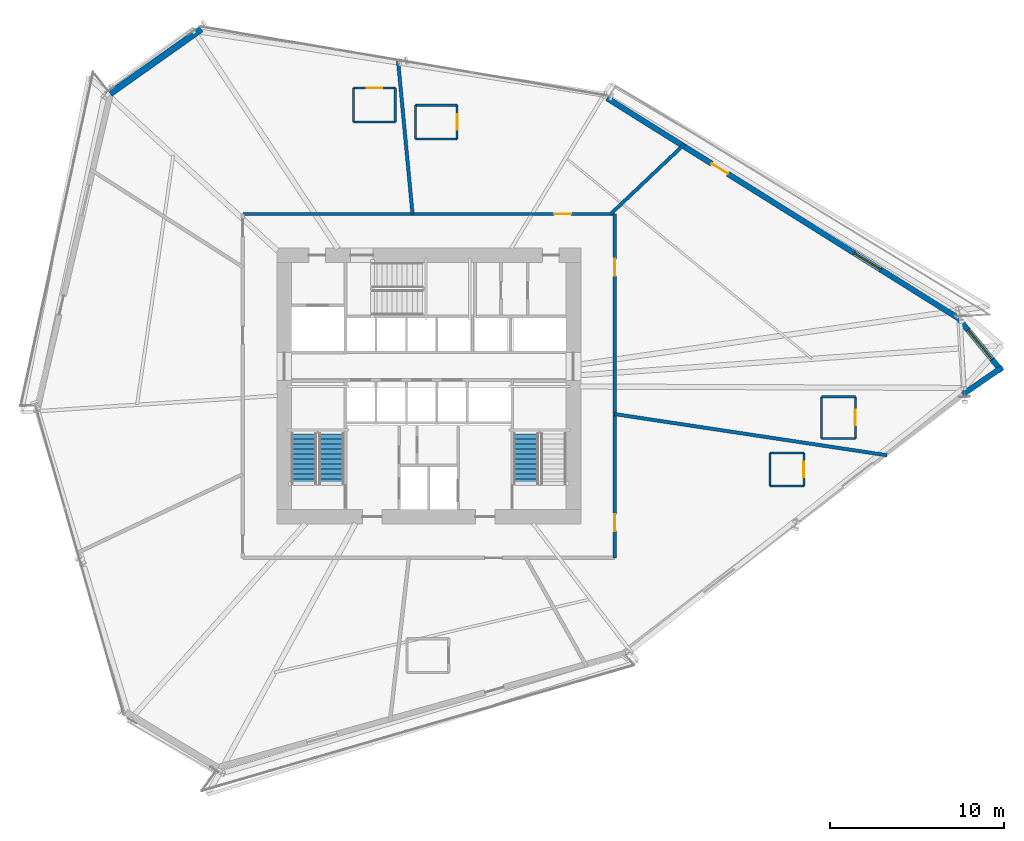
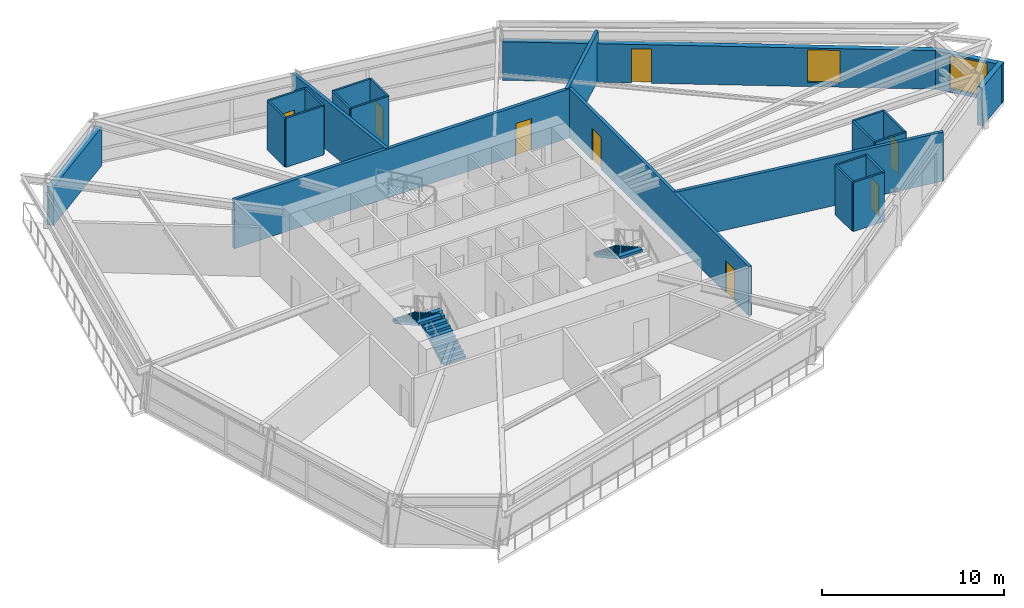
# One storey, part 17 of 21: 25 walls, 8 doors, 3 stair flights, 2 windows, 10 openings, 2 elements without a shape of their own.
"""IFC4 building model written with IfcOpenShell, lengths in metres."""

from ifc_helpers import new_model, si_unit, direction, frame, frame_2d, origin, place, context, subcontext, project, spatial, polyline, rectangle, outline, extrude, source, transform, mapped, material, layer, layer_set, type_object, type_shapes, element, fill, aggregate, save


model = new_model("IFC4")

# Units and contexts
model_context = context("Model", 3, precision=1e-05, world=origin(), true_north=direction((0.0, 1.0)))
body_context = subcontext(model_context, "Body", "Model", "MODEL_VIEW")
ifc_project = project(units=[si_unit("LENGTHUNIT", "METRE"), si_unit("AREAUNIT", "SQUARE_METRE"), si_unit("VOLUMEUNIT", "CUBIC_METRE"), si_unit("PLANEANGLEUNIT", "RADIAN"), si_unit("MASSUNIT", "GRAM", prefix="KILO")], contexts=[model_context])

# Site, building, storey
site_placement = place(None, origin())
site = spatial("IfcSite", under=ifc_project, at=site_placement, CompositionType="ELEMENT")
building_placement = place(site_placement, origin())
building = spatial("IfcBuilding", under=site, at=building_placement, Name="Olszyna Solenne Hotel", CompositionType="ELEMENT")
storey_placement = place(building_placement, frame((0.0, 0.0, 47.050048828125)))
storey = spatial("IfcBuildingStorey", under=building, at=storey_placement, Name="L11", CompositionType="ELEMENT", Elevation=47.050048828125)

# Wall, openings, door, window
ifc_material_1 = material(Name="Precast concrete C45/55", Category="concrete")
ifc_layer_1 = layer(ifc_material_1, 0.320068359375, Name="Precast concrete C45/55")
ifc_layer_set_1 = layer_set([ifc_layer_1], Name="Precast concrete C45/55")
wall_type_1 = type_object("IfcWallType", Name="WL-EX320", PredefinedType="SOLIDWALL", material=ifc_layer_set_1)
wall_1_placement = place(storey_placement, frame((48.26611328125, 43.163818359375, 0.0), z_axis=(0.0, 0.0, 1.0), x_axis=(0.847483127108, -0.530822333053, 0.0)))
wall_1 = element("IfcWall", 1, at=wall_1_placement, inside=storey, type_object=wall_type_1, Name="Exterior terracotta-precast frame wall WL-EX320 EW-L11-07", PredefinedType="SOLIDWALL", context=body_context, shape_type="SweptSolid", body=[
    extrude(rectangle(XDim=23.899658203125, YDim=0.320068359375, at=frame_2d((11.94970703125, 0.0))), origin(), (0.0, 0.0, 1.0), 2.592041015625),
])
opening_1_placement = place(wall_1_placement, frame((7.097900390625, 0.0, 0.0)))
opening_1 = element("IfcOpeningElement", 2, at=opening_1_placement, cuts=wall_1, Name="Opening LDG-L11-1", PredefinedType="OPENING", context=body_context, shape_type="SweptSolid", body=[
    extrude(rectangle(XDim=1.10009765625, YDim=2.300048828125, at=frame_2d((0.550048828125, 1.14990234375))), frame((0.0, 0.169921875, 0.0), z_axis=(0.0, -1.0, 0.0), x_axis=(1.0, 0.0, 0.0)), (0.0, 0.0, 1.0), 0.340087890625),
])
opening_2_placement = place(wall_1_placement, frame((16.785888671875, 0.0, 0.27197265625)))
opening_2 = element("IfcOpeningElement", 3, at=opening_2_placement, cuts=wall_1, Name="Opening WN-L11-048", PredefinedType="OPENING", context=body_context, shape_type="SweptSolid", body=[
    extrude(rectangle(XDim=1.800048828125, YDim=2.199951171875, at=frame_2d((0.89990234375, 1.10009765625))), frame((0.0, 0.169921875, 0.0), z_axis=(0.0, -1.0, 0.0), x_axis=(1.0, 0.0, 0.0)), (0.0, 0.0, 1.0), 0.340087890625),
])
ifc_material_2 = material(Name="Anodised bronze aluminium", Category="aluminium")
door_type_1 = type_object("IfcDoorType", Name="DR-LG1", OperationType="NOTDEFINED", PredefinedType="DOOR", material=ifc_material_2)
shared_shape_1 = source(origin(), body_context, "Body", "SweptSolid", [
    extrude(rectangle(XDim=1.10009765625, YDim=2.300048828125, at=frame_2d((0.550048828125, 1.14990234375))), frame((0.0, 0.02490234375, 0.0), z_axis=(0.0, -1.0, 0.0), x_axis=(1.0, 0.0, 0.0)), (0.0, 0.0, 1.0), 0.050048828125),
])
type_shapes(door_type_1, [shared_shape_1])
door_1_placement = place(opening_1_placement, origin())
door_1 = element("IfcDoor", 4, at=door_1_placement, inside=storey, type_object=door_type_1, Name="Exterior loggia balcony door DR-LG1 LDG-L11-1", OperationType="SINGLE_SWING_LEFT", OverallHeight=2.300048828125, OverallWidth=1.10009765625, PredefinedType="DOOR", context=body_context, shape_type="MappedRepresentation", body=[
    mapped(shared_shape_1, transform((0.0, 0.0, 0.0), x_axis=(1.0, 0.0, 0.0), y_axis=(0.0, 1.0, 0.0), z_axis=(0.0, 0.0, 1.0), scale=1.0)),
])
fill(opening_1, door_1)
ifc_material_3 = material(Name="Low-E triple glazing", Category="glass")
window_type_1 = type_object("IfcWindowType", Name="WN-HT1", PartitioningType="SINGLE_PANEL", PredefinedType="WINDOW", material=ifc_material_3)
shared_shape_2 = source(origin(), body_context, "Body", "SweptSolid", [
    extrude(rectangle(XDim=1.800048828125, YDim=2.199951171875, at=frame_2d((0.89990234375, 1.10009765625))), frame((0.0, 0.030029296875, 0.0), z_axis=(0.0, -1.0, 0.0), x_axis=(1.0, 0.0, 0.0)), (0.0, 0.0, 1.0), 0.06005859375),
])
type_shapes(window_type_1, [shared_shape_2])
window_1_placement = place(opening_2_placement, origin())
window_1 = element("IfcWindow", 5, at=window_1_placement, inside=storey, type_object=window_type_1, Name="Loggia room window WN-HT1 WN-L11-048", OverallHeight=2.199951171875, OverallWidth=1.800048828125, PartitioningType="SINGLE_PANEL", PredefinedType="WINDOW", context=body_context, shape_type="MappedRepresentation", body=[
    mapped(shared_shape_2, transform((0.0, 0.0, 0.0), x_axis=(1.0, 0.0, 0.0), y_axis=(0.0, 1.0, 0.0), z_axis=(0.0, 0.0, 1.0), scale=1.0)),
])
fill(opening_2, window_1)

# Wall, opening, window
wall_2_placement = place(storey_placement, frame((68.481689453125, 30.51171875, 0.0), z_axis=(0.0, 0.0, 1.0), x_axis=(0.63340917895, -0.773817040405, 0.0)))
wall_2 = element("IfcWall", 6, at=wall_2_placement, inside=storey, type_object=wall_type_1, Name="Exterior terracotta-precast frame wall WL-EX320 EW-L11-08", PredefinedType="SOLIDWALL", context=body_context, shape_type="SweptSolid", body=[
    extrude(rectangle(XDim=3.955810546875, YDim=0.320068359375, at=frame_2d((1.97802734375, 0.0))), origin(), (0.0, 0.0, 1.0), 2.592041015625),
])
opening_3_placement = place(wall_2_placement, frame((0.8779296875, 0.0, 0.221923828125)))
opening_3 = element("IfcOpeningElement", 7, at=opening_3_placement, cuts=wall_2, Name="Opening WN-L11-049", PredefinedType="OPENING", context=body_context, shape_type="SweptSolid", body=[
    extrude(rectangle(XDim=2.199951171875, YDim=2.25, at=frame_2d((1.10009765625, 1.125))), frame((0.0, 0.169921875, 0.0), z_axis=(0.0, -1.0, 0.0), x_axis=(1.0, 0.0, 0.0)), (0.0, 0.0, 1.0), 0.340087890625),
])
window_type_2 = type_object("IfcWindowType", Name="WN-HT2", PartitioningType="SINGLE_PANEL", PredefinedType="WINDOW", material=ifc_material_3)
shared_shape_3 = source(origin(), body_context, "Body", "SweptSolid", [
    extrude(rectangle(XDim=2.199951171875, YDim=2.25, at=frame_2d((1.10009765625, 1.125))), frame((0.0, 0.030029296875, 0.0), z_axis=(0.0, -1.0, 0.0), x_axis=(1.0, 0.0, 0.0)), (0.0, 0.0, 1.0), 0.06005859375),
])
type_shapes(window_type_2, [shared_shape_3])
window_2_placement = place(opening_3_placement, origin())
window_2 = element("IfcWindow", 8, at=window_2_placement, inside=storey, type_object=window_type_2, Name="Exterior facade window WN-HT2 WN-L11-049", OverallHeight=2.25, OverallWidth=2.199951171875, PartitioningType="SINGLE_PANEL", PredefinedType="WINDOW", context=body_context, shape_type="MappedRepresentation", body=[
    mapped(shared_shape_3, transform((0.0, 0.0, 0.0), x_axis=(1.0, 0.0, 0.0), y_axis=(0.0, 1.0, 0.0), z_axis=(0.0, 0.0, 1.0), scale=1.0)),
])
fill(opening_3, window_2)

# Walls
wall_3_placement = place(storey_placement, frame((71.020263671875, 27.683837890625, 0.0), z_axis=(0.0, 0.0, 1.0), x_axis=(-0.823923227302, -0.56670143419, 0.0)))
element("IfcWall", 9, at=wall_3_placement, inside=storey, type_object=wall_type_1, Name="Exterior terracotta-precast frame wall WL-EX320 EW-L11-09", PredefinedType="SOLIDWALL", context=body_context, shape_type="SweptSolid", body=[
    extrude(rectangle(XDim=2.760986328125, YDim=0.320068359375, at=frame_2d((1.38037109375, 0.0))), origin(), (0.0, 0.0, 1.0), 2.592041015625),
])
ifc_material_4 = material(Name="Terracotta cladding on precast concrete C45/55", Category="masonry")
ifc_layer_2 = layer(ifc_material_4, 0.3798828125, Name="Terracotta cladding on precast concrete C45/55")
ifc_layer_set_2 = layer_set([ifc_layer_2], Name="Terracotta cladding on precast concrete C45/55")
wall_type_2 = type_object("IfcWallType", Name="WL-EX380", PredefinedType="SOLIDWALL", material=ifc_layer_set_2)
wall_4_placement = place(storey_placement, frame((19.659423828125, 43.433837890625, 0.0), z_axis=(0.0, 0.0, 1.0), x_axis=(0.816108940035, 0.577898086167, 0.0)))
element("IfcWall", 10, at=wall_4_placement, inside=storey, type_object=wall_type_2, Name="Exterior terracotta-precast frame wall WL-EX380 EW-L11-05", PredefinedType="SOLIDWALL", context=body_context, shape_type="SweptSolid", body=[
    extrude(rectangle(XDim=6.4189453125, YDim=0.3798828125, at=frame_2d((3.20947265625, 0.0))), origin(), (0.0, 0.0, 1.0), 2.592041015625),
])

# Wall, opening, door
ifc_material_5 = material(Name="Acoustic gypsum partition", Category="gypsum")
ifc_layer_3 = layer(ifc_material_5, 0.125, Name="Acoustic gypsum partition")
ifc_layer_set_3 = layer_set([ifc_layer_3], Name="Acoustic gypsum partition")
wall_type_3 = type_object("IfcWallType", Name="WL-PT125", PredefinedType="PARTITIONING", material=ifc_layer_set_3)
wall_5_placement = place(storey_placement, frame((59.593994140625, 20.84912109375, 0.0), z_axis=(0.0, 0.0, 1.0), x_axis=(0.0, 1.0, 0.0)))
wall_5 = element("IfcWall", 11, at=wall_5_placement, inside=storey, type_object=wall_type_3, Name="Interior acoustic partition WL-PT125 PW-L11-0600", PredefinedType="PARTITIONING", context=body_context, shape_type="SweptSolid", body=[
    extrude(rectangle(XDim=1.89990234375, YDim=0.125, at=frame_2d((0.949951171875, 0.0))), origin(), (0.0, 0.0, 1.0), 3.300048828125),
])
opening_4_placement = place(wall_5_placement, frame((0.5, 0.0, 0.0)))
opening_4 = element("IfcOpeningElement", 12, at=opening_4_placement, cuts=wall_5, Name="Opening DR-L11-0128", PredefinedType="OPENING", context=body_context, shape_type="SweptSolid", body=[
    extrude(rectangle(XDim=0.89990234375, YDim=2.10009765625, at=frame_2d((0.449951171875, 1.050048828125))), frame((0.0, 0.072509765625, 0.0), z_axis=(0.0, -1.0, 0.0), x_axis=(1.0, 0.0, 0.0)), (0.0, 0.0, 1.0), 0.14501953125),
])
ifc_material_6 = material(Name="Timber hardwood", Category="wood")
door_type_2 = type_object("IfcDoorType", Name="DR-WC1", OperationType="NOTDEFINED", PredefinedType="DOOR", material=ifc_material_6)
shared_shape_4 = source(origin(), body_context, "Body", "SweptSolid", [
    extrude(rectangle(XDim=0.89990234375, YDim=2.10009765625, at=frame_2d((0.449951171875, 1.050048828125))), frame((0.0, 0.02490234375, 0.0), z_axis=(0.0, -1.0, 0.0), x_axis=(1.0, 0.0, 0.0)), (0.0, 0.0, 1.0), 0.050048828125),
])
type_shapes(door_type_2, [shared_shape_4])
door_2_placement = place(opening_4_placement, origin())
door_2 = element("IfcDoor", 13, at=door_2_placement, inside=storey, type_object=door_type_2, Name="En-Suite Bathroom Door DR-L11-0128", OperationType="SINGLE_SWING_RIGHT", OverallHeight=2.10009765625, OverallWidth=0.89990234375, PredefinedType="DOOR", context=body_context, shape_type="MappedRepresentation", body=[
    mapped(shared_shape_4, transform((0.0, 0.0, 0.0), x_axis=(1.0, 0.0, 0.0), y_axis=(0.0, 1.0, 0.0), z_axis=(0.0, 0.0, 1.0), scale=1.0)),
])
fill(opening_4, door_2)

# Walls
wall_6_placement = place(storey_placement, frame((59.593994140625, 22.7490234375, 0.0), z_axis=(0.0, 0.0, 1.0), x_axis=(-1.0, 0.0, 0.0)))
element("IfcWall", 14, at=wall_6_placement, inside=storey, type_object=wall_type_3, Name="Interior acoustic partition WL-PT125 PW-L11-0601", PredefinedType="PARTITIONING", context=body_context, shape_type="SweptSolid", body=[
    extrude(rectangle(XDim=1.949951171875, YDim=0.125, at=frame_2d((0.97509765625, 0.0))), origin(), (0.0, 0.0, 1.0), 3.300048828125),
])
wall_7_placement = place(storey_placement, frame((57.64404296875, 22.7490234375, 0.0), z_axis=(0.0, 0.0, 1.0), x_axis=(0.0, -1.0, 0.0)))
element("IfcWall", 15, at=wall_7_placement, inside=storey, type_object=wall_type_3, Name="Interior acoustic partition WL-PT125 PW-L11-0602", PredefinedType="PARTITIONING", context=body_context, shape_type="SweptSolid", body=[
    extrude(rectangle(XDim=1.89990234375, YDim=0.125, at=frame_2d((0.949951171875, 0.0))), origin(), (0.0, 0.0, 1.0), 3.300048828125),
])
wall_8_placement = place(storey_placement, frame((57.64404296875, 20.84912109375, 0.0), z_axis=(0.0, 0.0, 1.0), x_axis=(1.0, 0.0, 0.0)))
element("IfcWall", 16, at=wall_8_placement, inside=storey, type_object=wall_type_3, Name="Interior acoustic partition WL-PT125 PW-L11-0603", PredefinedType="PARTITIONING", context=body_context, shape_type="SweptSolid", body=[
    extrude(rectangle(XDim=1.949951171875, YDim=0.125, at=frame_2d((0.97509765625, 0.0))), origin(), (0.0, 0.0, 1.0), 3.300048828125),
])

# Wall, opening, door
wall_9_placement = place(storey_placement, frame((62.556884765625, 23.576904296875, 0.0), z_axis=(0.0, 0.0, 1.0), x_axis=(0.0, 1.0, 0.0)))
wall_9 = element("IfcWall", 17, at=wall_9_placement, inside=storey, type_object=wall_type_3, Name="Interior acoustic partition WL-PT125 PW-L11-0604", PredefinedType="PARTITIONING", context=body_context, shape_type="SweptSolid", body=[
    extrude(rectangle(XDim=2.400146484375, YDim=0.125, at=frame_2d((1.2001953125, 0.0))), origin(), (0.0, 0.0, 1.0), 3.300048828125),
])
opening_5_placement = place(wall_9_placement, frame((0.75, 0.0, 0.0)))
opening_5 = element("IfcOpeningElement", 18, at=opening_5_placement, cuts=wall_9, Name="Opening DR-L11-0129", PredefinedType="OPENING", context=body_context, shape_type="SweptSolid", body=[
    extrude(rectangle(XDim=0.89990234375, YDim=2.10009765625, at=frame_2d((0.449951171875, 1.050048828125))), frame((0.0, 0.072509765625, 0.0), z_axis=(0.0, -1.0, 0.0), x_axis=(1.0, 0.0, 0.0)), (0.0, 0.0, 1.0), 0.14501953125),
])
door_3_placement = place(opening_5_placement, origin())
door_3 = element("IfcDoor", 19, at=door_3_placement, inside=storey, type_object=door_type_2, Name="En-Suite Bathroom Door DR-L11-0129", OperationType="SINGLE_SWING_RIGHT", OverallHeight=2.10009765625, OverallWidth=0.89990234375, PredefinedType="DOOR", context=body_context, shape_type="MappedRepresentation", body=[
    mapped(shared_shape_4, transform((0.0, 0.0, 0.0), x_axis=(1.0, 0.0, 0.0), y_axis=(0.0, 1.0, 0.0), z_axis=(0.0, 0.0, 1.0), scale=1.0)),
])
fill(opening_5, door_3)

# Walls
wall_10_placement = place(storey_placement, frame((62.556884765625, 25.97705078125, 0.0), z_axis=(0.0, 0.0, 1.0), x_axis=(-1.0, 0.0, 0.0)))
element("IfcWall", 20, at=wall_10_placement, inside=storey, type_object=wall_type_3, Name="Interior acoustic partition WL-PT125 PW-L11-0605", PredefinedType="PARTITIONING", context=body_context, shape_type="SweptSolid", body=[
    extrude(rectangle(XDim=1.949951171875, YDim=0.125, at=frame_2d((0.97509765625, 0.0))), origin(), (0.0, 0.0, 1.0), 3.300048828125),
])
wall_11_placement = place(storey_placement, frame((60.60693359375, 25.97705078125, 0.0), z_axis=(0.0, 0.0, 1.0), x_axis=(0.0, -1.0, 0.0)))
element("IfcWall", 21, at=wall_11_placement, inside=storey, type_object=wall_type_3, Name="Interior acoustic partition WL-PT125 PW-L11-0606", PredefinedType="PARTITIONING", context=body_context, shape_type="SweptSolid", body=[
    extrude(rectangle(XDim=2.400146484375, YDim=0.125, at=frame_2d((1.2001953125, 0.0))), origin(), (0.0, 0.0, 1.0), 3.300048828125),
])
wall_12_placement = place(storey_placement, frame((60.60693359375, 23.576904296875, 0.0), z_axis=(0.0, 0.0, 1.0), x_axis=(1.0, 0.0, 0.0)))
element("IfcWall", 22, at=wall_12_placement, inside=storey, type_object=wall_type_3, Name="Interior acoustic partition WL-PT125 PW-L11-0607", PredefinedType="PARTITIONING", context=body_context, shape_type="SweptSolid", body=[
    extrude(rectangle(XDim=1.949951171875, YDim=0.125, at=frame_2d((0.97509765625, 0.0))), origin(), (0.0, 0.0, 1.0), 3.300048828125),
])

# Wall, opening, door
wall_13_placement = place(storey_placement, frame((39.62890625, 40.81103515625, 0.0), z_axis=(0.0, 0.0, 1.0), x_axis=(0.0, 1.0, 0.0)))
wall_13 = element("IfcWall", 23, at=wall_13_placement, inside=storey, type_object=wall_type_3, Name="Interior acoustic partition WL-PT125 PW-L11-0608", PredefinedType="PARTITIONING", context=body_context, shape_type="SweptSolid", body=[
    extrude(rectangle(XDim=1.949951171875, YDim=0.125, at=frame_2d((0.97509765625, 0.0))), origin(), (0.0, 0.0, 1.0), 3.300048828125),
])
opening_6_placement = place(wall_13_placement, frame((0.52490234375, 0.0, 0.0)))
opening_6 = element("IfcOpeningElement", 24, at=opening_6_placement, cuts=wall_13, Name="Opening DR-L11-0130", PredefinedType="OPENING", context=body_context, shape_type="SweptSolid", body=[
    extrude(rectangle(XDim=0.89990234375, YDim=2.10009765625, at=frame_2d((0.449951171875, 1.050048828125))), frame((0.0, 0.072509765625, 0.0), z_axis=(0.0, -1.0, 0.0), x_axis=(1.0, 0.0, 0.0)), (0.0, 0.0, 1.0), 0.14501953125),
])
door_4_placement = place(opening_6_placement, origin())
door_4 = element("IfcDoor", 25, at=door_4_placement, inside=storey, type_object=door_type_2, Name="En-Suite Bathroom Door DR-L11-0130", OperationType="SINGLE_SWING_RIGHT", OverallHeight=2.10009765625, OverallWidth=0.89990234375, PredefinedType="DOOR", context=body_context, shape_type="MappedRepresentation", body=[
    mapped(shared_shape_4, transform((0.0, 0.0, 0.0), x_axis=(1.0, 0.0, 0.0), y_axis=(0.0, 1.0, 0.0), z_axis=(0.0, 0.0, 1.0), scale=1.0)),
])
fill(opening_6, door_4)

# Walls
wall_14_placement = place(storey_placement, frame((39.62890625, 42.760986328125, 0.0), z_axis=(0.0, 0.0, 1.0), x_axis=(-1.0, 0.0, 0.0)))
element("IfcWall", 26, at=wall_14_placement, inside=storey, type_object=wall_type_3, Name="Interior acoustic partition WL-PT125 PW-L11-0609", PredefinedType="PARTITIONING", context=body_context, shape_type="SweptSolid", body=[
    extrude(rectangle(XDim=2.39990234375, YDim=0.125, at=frame_2d((1.199951171875, 0.0))), origin(), (0.0, 0.0, 1.0), 3.300048828125),
])
wall_15_placement = place(storey_placement, frame((37.22900390625, 42.760986328125, 0.0), z_axis=(0.0, 0.0, 1.0), x_axis=(0.0, -1.0, 0.0)))
element("IfcWall", 27, at=wall_15_placement, inside=storey, type_object=wall_type_3, Name="Interior acoustic partition WL-PT125 PW-L11-0610", PredefinedType="PARTITIONING", context=body_context, shape_type="SweptSolid", body=[
    extrude(rectangle(XDim=1.949951171875, YDim=0.125, at=frame_2d((0.97509765625, 0.0))), origin(), (0.0, 0.0, 1.0), 3.300048828125),
])
wall_16_placement = place(storey_placement, frame((37.22900390625, 40.81103515625, 0.0), z_axis=(0.0, 0.0, 1.0), x_axis=(1.0, 0.0, 0.0)))
element("IfcWall", 28, at=wall_16_placement, inside=storey, type_object=wall_type_3, Name="Interior acoustic partition WL-PT125 PW-L11-0611", PredefinedType="PARTITIONING", context=body_context, shape_type="SweptSolid", body=[
    extrude(rectangle(XDim=2.39990234375, YDim=0.125, at=frame_2d((1.199951171875, 0.0))), origin(), (0.0, 0.0, 1.0), 3.300048828125),
])
wall_17_placement = place(storey_placement, frame((36.073974609375, 41.801025390625, 0.0), z_axis=(0.0, 0.0, 1.0), x_axis=(0.0, 1.0, 0.0)))
element("IfcWall", 29, at=wall_17_placement, inside=storey, type_object=wall_type_3, Name="Interior acoustic partition WL-PT125 PW-L11-0612", PredefinedType="PARTITIONING", context=body_context, shape_type="SweptSolid", body=[
    extrude(rectangle(XDim=1.949951171875, YDim=0.125, at=frame_2d((0.97509765625, 0.0))), origin(), (0.0, 0.0, 1.0), 3.300048828125),
])

# Wall, opening, door
wall_18_placement = place(storey_placement, frame((36.073974609375, 43.7509765625, 0.0), z_axis=(0.0, 0.0, 1.0), x_axis=(-1.0, 0.0, 0.0)))
wall_18 = element("IfcWall", 30, at=wall_18_placement, inside=storey, type_object=wall_type_3, Name="Interior acoustic partition WL-PT125 PW-L11-0613", PredefinedType="PARTITIONING", context=body_context, shape_type="SweptSolid", body=[
    extrude(rectangle(XDim=2.39990234375, YDim=0.125, at=frame_2d((1.199951171875, 0.0))), origin(), (0.0, 0.0, 1.0), 3.300048828125),
])
opening_7_placement = place(wall_18_placement, frame((0.75, 0.0, 0.0)))
opening_7 = element("IfcOpeningElement", 31, at=opening_7_placement, cuts=wall_18, Name="Opening DR-L11-0131", PredefinedType="OPENING", context=body_context, shape_type="SweptSolid", body=[
    extrude(rectangle(XDim=0.89990234375, YDim=2.10009765625, at=frame_2d((0.449951171875, 1.050048828125))), frame((0.0, 0.072509765625, 0.0), z_axis=(0.0, -1.0, 0.0), x_axis=(1.0, 0.0, 0.0)), (0.0, 0.0, 1.0), 0.14501953125),
])
door_5_placement = place(opening_7_placement, origin())
door_5 = element("IfcDoor", 32, at=door_5_placement, inside=storey, type_object=door_type_2, Name="En-Suite Bathroom Door DR-L11-0131", OperationType="SINGLE_SWING_LEFT", OverallHeight=2.10009765625, OverallWidth=0.89990234375, PredefinedType="DOOR", context=body_context, shape_type="MappedRepresentation", body=[
    mapped(shared_shape_4, transform((0.0, 0.0, 0.0), x_axis=(1.0, 0.0, 0.0), y_axis=(0.0, 1.0, 0.0), z_axis=(0.0, 0.0, 1.0), scale=1.0)),
])
fill(opening_7, door_5)

# Walls
wall_19_placement = place(storey_placement, frame((33.674072265625, 43.7509765625, 0.0), z_axis=(0.0, 0.0, 1.0), x_axis=(0.0, -1.0, 0.0)))
element("IfcWall", 33, at=wall_19_placement, inside=storey, type_object=wall_type_3, Name="Interior acoustic partition WL-PT125 PW-L11-0614", PredefinedType="PARTITIONING", context=body_context, shape_type="SweptSolid", body=[
    extrude(rectangle(XDim=1.949951171875, YDim=0.125, at=frame_2d((0.97509765625, 0.0))), origin(), (0.0, 0.0, 1.0), 3.300048828125),
])
wall_20_placement = place(storey_placement, frame((33.674072265625, 41.801025390625, 0.0), z_axis=(0.0, 0.0, 1.0), x_axis=(1.0, 0.0, 0.0)))
element("IfcWall", 34, at=wall_20_placement, inside=storey, type_object=wall_type_3, Name="Interior acoustic partition WL-PT125 PW-L11-0615", PredefinedType="PARTITIONING", context=body_context, shape_type="SweptSolid", body=[
    extrude(rectangle(XDim=2.39990234375, YDim=0.125, at=frame_2d((1.199951171875, 0.0))), origin(), (0.0, 0.0, 1.0), 3.300048828125),
])
ifc_layer_4 = layer(ifc_material_5, 0.199951171875, Name="Acoustic gypsum partition")
ifc_layer_set_4 = layer_set([ifc_layer_4], Name="Acoustic gypsum partition")
wall_type_4 = type_object("IfcWallType", Name="WL-PT200", PredefinedType="PARTITIONING", material=ifc_layer_set_4)
wall_21_placement = place(storey_placement, frame((48.699951171875, 24.981689453125, 0.0), z_axis=(0.0, 0.0, 1.0), x_axis=(0.988756783169, -0.149532684514, 0.0)))
element("IfcWall", 35, at=wall_21_placement, inside=storey, type_object=wall_type_4, Name="Interior acoustic partition WL-PT200 PW-L11-0594", PredefinedType="PARTITIONING", context=body_context, shape_type="SweptSolid", body=[
    extrude(rectangle(XDim=15.85986328125, YDim=0.199951171875, at=frame_2d((7.929931640625, 0.0))), origin(), (0.0, 0.0, 1.0), 3.300048828125),
])
wall_22_placement = place(storey_placement, frame((48.468994140625, 36.5, 0.0), z_axis=(0.0, 0.0, 1.0), x_axis=(0.726587633049, 0.687073803532, 0.0)))
element("IfcWall", 36, at=wall_22_placement, inside=storey, type_object=wall_type_4, Name="Interior acoustic partition WL-PT200 PW-L11-0595", PredefinedType="PARTITIONING", context=body_context, shape_type="SweptSolid", body=[
    extrude(rectangle(XDim=5.857421875, YDim=0.199951171875, at=frame_2d((2.9287109375, 0.0))), origin(), (0.0, 0.0, 1.0), 3.300048828125),
])
wall_23_placement = place(storey_placement, frame((37.064208984375, 36.5, 0.0), z_axis=(0.0, 0.0, 1.0), x_axis=(-0.094098210229, 0.995562919575, 0.0)))
element("IfcWall", 37, at=wall_23_placement, inside=storey, type_object=wall_type_4, Name="Interior acoustic partition WL-PT200 PW-L11-0596", PredefinedType="PARTITIONING", context=body_context, shape_type="SweptSolid", body=[
    extrude(rectangle(XDim=8.865478515625, YDim=0.199951171875, at=frame_2d((4.4326171875, 0.0))), origin(), (0.0, 0.0, 1.0), 3.300048828125),
])

# Wall, opening, door
wall_24_placement = place(storey_placement, frame((27.300048828125, 36.5, 0.0), z_axis=(0.0, 0.0, 1.0), x_axis=(1.0, 0.0, 0.0)))
wall_24 = element("IfcWall", 38, at=wall_24_placement, inside=storey, type_object=wall_type_4, Name="Interior acoustic partition WL-PT200 PW-L11-0622", PredefinedType="PARTITIONING", context=body_context, shape_type="SweptSolid", body=[
    extrude(rectangle(XDim=21.39990234375, YDim=0.199951171875, at=frame_2d((10.699951171875, 0.0))), origin(), (0.0, 0.0, 1.0), 3.300048828125),
])
opening_8_placement = place(wall_24_placement, frame((17.908935546875, 0.0, 0.0)))
opening_8 = element("IfcOpeningElement", 39, at=opening_8_placement, cuts=wall_24, Name="Opening DR-L11-0137", PredefinedType="OPENING", context=body_context, shape_type="SweptSolid", body=[
    extrude(rectangle(XDim=0.97998046875, YDim=2.14990234375, at=frame_2d((0.489990234375, 1.074951171875))), frame((0.0, 0.10986328125, 0.0), z_axis=(0.0, -1.0, 0.0), x_axis=(1.0, 0.0, 0.0)), (0.0, 0.0, 1.0), 0.219970703125),
])
door_type_3 = type_object("IfcDoorType", Name="DR-RM1", OperationType="NOTDEFINED", PredefinedType="DOOR", material=ifc_material_6)
shared_shape_5 = source(origin(), body_context, "Body", "SweptSolid", [
    extrude(rectangle(XDim=0.97998046875, YDim=2.14990234375, at=frame_2d((0.489990234375, 1.074951171875))), frame((0.0, 0.02490234375, 0.0), z_axis=(0.0, -1.0, 0.0), x_axis=(1.0, 0.0, 0.0)), (0.0, 0.0, 1.0), 0.050048828125),
])
type_shapes(door_type_3, [shared_shape_5])
door_6_placement = place(opening_8_placement, origin())
door_6 = element("IfcDoor", 40, at=door_6_placement, inside=storey, type_object=door_type_3, Name="Premier King Suite Entrance Door DR-L11-0137", OperationType="SINGLE_SWING_RIGHT", OverallHeight=2.14990234375, OverallWidth=0.97998046875, PredefinedType="DOOR", context=body_context, shape_type="MappedRepresentation", body=[
    mapped(shared_shape_5, transform((0.0, 0.0, 0.0), x_axis=(1.0, 0.0, 0.0), y_axis=(0.0, 1.0, 0.0), z_axis=(0.0, 0.0, 1.0), scale=1.0)),
])
fill(opening_8, door_6)

# Wall, openings, doors
wall_25_placement = place(storey_placement, frame((48.699951171875, 16.699951171875, 0.0), z_axis=(0.0, 0.0, 1.0), x_axis=(0.0, 1.0, 0.0)))
wall_25 = element("IfcWall", 41, at=wall_25_placement, inside=storey, type_object=wall_type_4, Name="Interior acoustic partition WL-PT200 PW-L11-0623", PredefinedType="PARTITIONING", context=body_context, shape_type="SweptSolid", body=[
    extrude(rectangle(XDim=19.800048828125, YDim=0.199951171875, at=frame_2d((9.89990234375, 0.0))), origin(), (0.0, 0.0, 1.0), 3.300048828125),
])
opening_9_placement = place(wall_25_placement, frame((1.544921875, 0.0, 0.0)))
opening_9 = element("IfcOpeningElement", 42, at=opening_9_placement, cuts=wall_25, Name="Opening DR-L11-0138", PredefinedType="OPENING", context=body_context, shape_type="SweptSolid", body=[
    extrude(rectangle(XDim=0.97998046875, YDim=2.14990234375, at=frame_2d((0.489990234375, 1.074951171875))), frame((0.0, 0.10986328125, 0.0), z_axis=(0.0, -1.0, 0.0), x_axis=(1.0, 0.0, 0.0)), (0.0, 0.0, 1.0), 0.219970703125),
])
opening_10_placement = place(wall_25_placement, frame((16.237060546875, 0.0, 0.0)))
opening_10 = element("IfcOpeningElement", 43, at=opening_10_placement, cuts=wall_25, Name="Opening DR-L11-0139", PredefinedType="OPENING", context=body_context, shape_type="SweptSolid", body=[
    extrude(rectangle(XDim=0.97998046875, YDim=2.14990234375, at=frame_2d((0.489990234375, 1.074951171875))), frame((0.0, 0.10986328125, 0.0), z_axis=(0.0, -1.0, 0.0), x_axis=(1.0, 0.0, 0.0)), (0.0, 0.0, 1.0), 0.219970703125),
])
door_7_placement = place(opening_9_placement, origin())
door_7 = element("IfcDoor", 44, at=door_7_placement, inside=storey, type_object=door_type_3, Name="Premier King Suite Entrance Door DR-L11-0138", OperationType="SINGLE_SWING_RIGHT", OverallHeight=2.14990234375, OverallWidth=0.97998046875, PredefinedType="DOOR", context=body_context, shape_type="MappedRepresentation", body=[
    mapped(shared_shape_5, transform((0.0, 0.0, 0.0), x_axis=(1.0, 0.0, 0.0), y_axis=(0.0, 1.0, 0.0), z_axis=(0.0, 0.0, 1.0), scale=1.0)),
])
fill(opening_9, door_7)
door_8_placement = place(opening_10_placement, origin())
door_8 = element("IfcDoor", 45, at=door_8_placement, inside=storey, type_object=door_type_3, Name="Premier King Suite Entrance Door DR-L11-0139", OperationType="SINGLE_SWING_LEFT", OverallHeight=2.14990234375, OverallWidth=0.97998046875, PredefinedType="DOOR", context=body_context, shape_type="MappedRepresentation", body=[
    mapped(shared_shape_5, transform((0.0, 0.0, 0.0), x_axis=(1.0, 0.0, 0.0), y_axis=(0.0, 1.0, 0.0), z_axis=(0.0, 0.0, 1.0), scale=1.0)),
])
fill(opening_10, door_8)

# Stair, stair flights
ifc_material_7 = material(Name="Concrete C40/50", Category="concrete")
stair_type = type_object("IfcStairType", Name="STR-C1", PredefinedType="TWO_QUARTER_WINDING_STAIR", material=ifc_material_7)
stair_1_placement = place(storey_placement, origin())
stair_1 = element("IfcStair", 46, at=stair_1_placement, inside=storey, type_object=stair_type, Name="L11 ST1", PredefinedType="TWO_QUARTER_WINDING_STAIR")
stair_flight_type = type_object("IfcStairFlightType", Name="FLT-C1", PredefinedType="STRAIGHT", material=ifc_material_7)
stair_flight_1_placement = place(storey_placement, frame((32.39501953125, 20.949951171875, 0.0), z_axis=(0.0, 0.0, 1.0), x_axis=(0.0, 1.0, 0.0)))
stair_flight_1 = element("IfcStairFlight", 47, at=stair_flight_1_placement, type_object=stair_flight_type, Name="ST1 flight 1", NumberOfRisers=11, NumberOfTreads=10, PredefinedType="STRAIGHT", RiserHeight=0.161363636, TreadLength=0.29, context=body_context, shape_type="SweptSolid", body=[
    extrude(outline(polyline([(0.0, 0.0), (0.0, 0.161376953125), (0.2900390625, 0.161376953125), (0.2900390625, 0.32275390625), (0.580078125, 0.32275390625), (0.580078125, 0.484130859375), (0.8701171875, 0.484130859375), (0.8701171875, 0.6455078125), (1.159912109375, 0.6455078125), (1.159912109375, 0.806884765625), (1.449951171875, 0.806884765625), (1.449951171875, 0.96826171875), (1.739990234375, 0.96826171875), (1.739990234375, 1.129638671875), (2.030029296875, 1.129638671875), (2.030029296875, 1.291015625), (2.320068359375, 1.291015625), (2.320068359375, 1.452392578125), (2.610107421875, 1.452392578125), (2.610107421875, 1.613525390625), (2.89990234375, 1.613525390625), (2.89990234375, 1.77490234375), (2.89990234375, 1.442138671875), (0.308349609375, 0.0), (0.0, 0.0)])), frame((0.0, 0.72509765625, 0.0), z_axis=(0.0, -1.0, 0.0), x_axis=(1.0, 0.0, 0.0)), (0.0, 0.0, 1.0), 1.449951171875),
])
stair_flight_2_placement = place(storey_placement, frame((30.824951171875, 23.85009765625, 1.77490234375), z_axis=(0.0, 0.0, 1.0), x_axis=(0.0, -1.0, 0.0)))
stair_flight_2 = element("IfcStairFlight", 48, at=stair_flight_2_placement, type_object=stair_flight_type, Name="ST1 flight 2", NumberOfRisers=11, NumberOfTreads=10, PredefinedType="STRAIGHT", RiserHeight=0.161363636, TreadLength=0.29, context=body_context, shape_type="SweptSolid", body=[
    extrude(outline(polyline([(0.0, 0.0), (0.0, 0.161376953125), (0.2900390625, 0.161376953125), (0.2900390625, 0.32275390625), (0.580078125, 0.32275390625), (0.580078125, 0.484130859375), (0.8701171875, 0.484130859375), (0.8701171875, 0.6455078125), (1.159912109375, 0.6455078125), (1.159912109375, 0.806884765625), (1.449951171875, 0.806884765625), (1.449951171875, 0.96826171875), (1.739990234375, 0.96826171875), (1.739990234375, 1.129638671875), (2.030029296875, 1.129638671875), (2.030029296875, 1.291015625), (2.320068359375, 1.291015625), (2.320068359375, 1.452392578125), (2.610107421875, 1.452392578125), (2.610107421875, 1.613525390625), (2.89990234375, 1.613525390625), (2.89990234375, 1.77490234375), (2.89990234375, 1.442138671875), (0.308349609375, 0.0), (0.0, 0.0)])), frame((0.0, 0.72509765625, 0.0), z_axis=(0.0, -1.0, 0.0), x_axis=(1.0, 0.0, 0.0)), (0.0, 0.0, 1.0), 1.449951171875),
])
aggregate(stair_1, [stair_flight_1, stair_flight_2])

# Stair, stair flight
stair_2_placement = place(storey_placement, origin())
stair_2 = element("IfcStair", 49, at=stair_2_placement, inside=storey, type_object=stair_type, Name="L11 ST2", PredefinedType="TWO_QUARTER_WINDING_STAIR")
stair_flight_3_placement = place(storey_placement, frame((43.60498046875, 23.85009765625, 1.77490234375), z_axis=(0.0, 0.0, 1.0), x_axis=(0.0, -1.0, 0.0)))
stair_flight_3 = element("IfcStairFlight", 50, at=stair_flight_3_placement, type_object=stair_flight_type, Name="ST2 flight 2", NumberOfRisers=11, NumberOfTreads=10, PredefinedType="STRAIGHT", RiserHeight=0.161363636, TreadLength=0.29, context=body_context, shape_type="SweptSolid", body=[
    extrude(outline(polyline([(0.0, 0.0), (0.0, 0.161376953125), (0.2900390625, 0.161376953125), (0.2900390625, 0.32275390625), (0.580078125, 0.32275390625), (0.580078125, 0.484130859375), (0.8701171875, 0.484130859375), (0.8701171875, 0.6455078125), (1.159912109375, 0.6455078125), (1.159912109375, 0.806884765625), (1.449951171875, 0.806884765625), (1.449951171875, 0.96826171875), (1.739990234375, 0.96826171875), (1.739990234375, 1.129638671875), (2.030029296875, 1.129638671875), (2.030029296875, 1.291015625), (2.320068359375, 1.291015625), (2.320068359375, 1.452392578125), (2.610107421875, 1.452392578125), (2.610107421875, 1.613525390625), (2.89990234375, 1.613525390625), (2.89990234375, 1.77490234375), (2.89990234375, 1.442138671875), (0.308349609375, 0.0), (0.0, 0.0)])), frame((0.0, 0.72509765625, 0.0), z_axis=(0.0, -1.0, 0.0), x_axis=(1.0, 0.0, 0.0)), (0.0, 0.0, 1.0), 1.449951171875),
])
aggregate(stair_2, [stair_flight_3])

save(model, "model.ifc")
